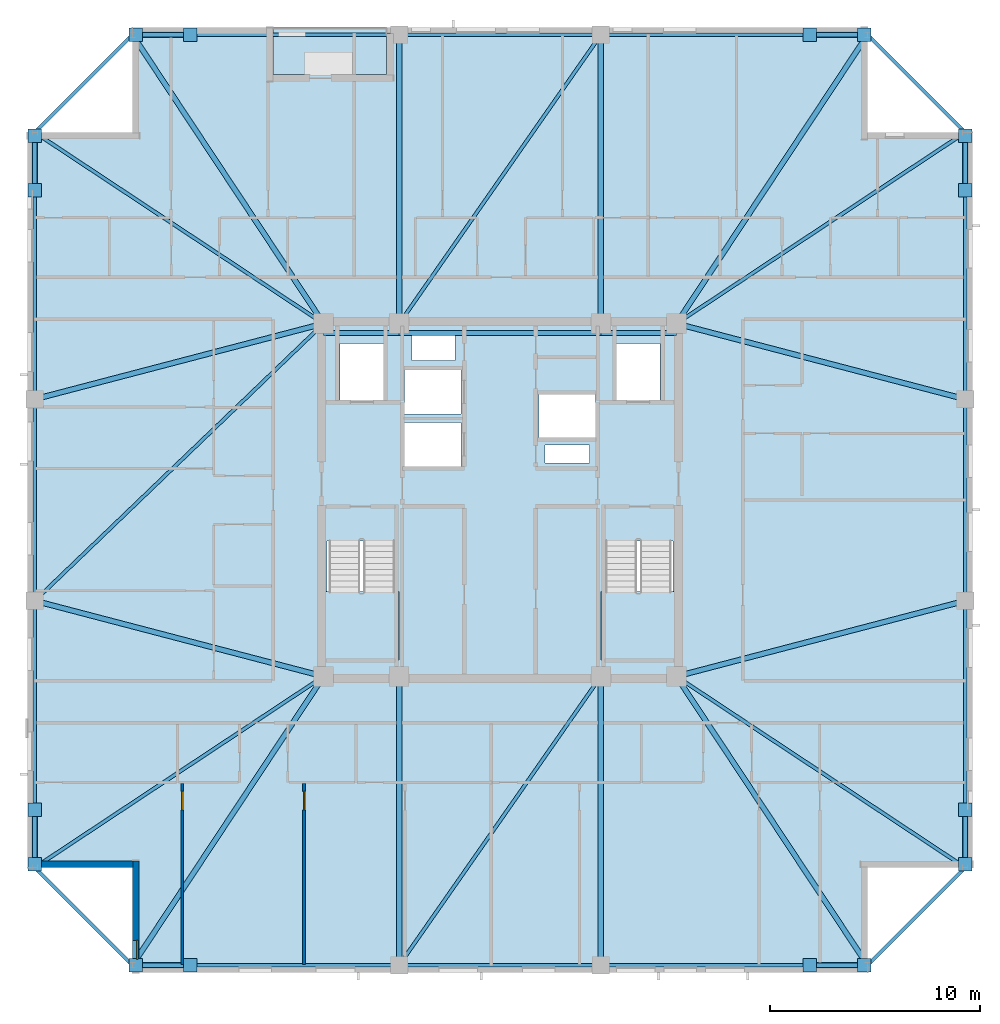
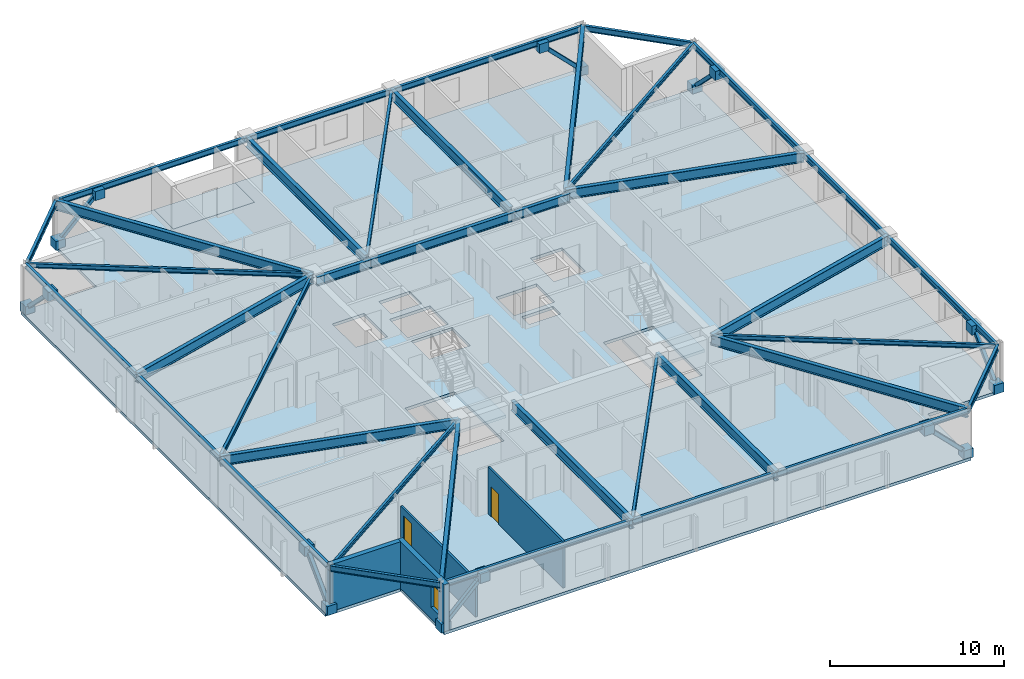
# One storey, part 6 of 17: 38 beams, 16 plates, 8 members, 4 slabs, 4 walls, 2 doors, 1 window, 3 openings, 2 elements without a shape of their own.
"""IFC4 building model written with IfcOpenShell, lengths in metres."""

from ifc_helpers import new_model, si_unit, direction, frame, frame_2d, origin, origin_2d, place, context, subcontext, project, spatial, polyline, rectangle, hollow_rectangle, i_section, outline, extrude, material, layer, layer_set, material_profile, profile_set, type_object, element, fill, aggregate, save


model = new_model("IFC4")

# Units and contexts
model_context = context("Model", 3, precision=1e-05, world=origin(), true_north=direction((0.0, 1.0)))
body_context = subcontext(model_context, "Body", "Model", "MODEL_VIEW")
ifc_project = project(units=[si_unit("LENGTHUNIT", "METRE"), si_unit("AREAUNIT", "SQUARE_METRE"), si_unit("VOLUMEUNIT", "CUBIC_METRE"), si_unit("PLANEANGLEUNIT", "RADIAN"), si_unit("MASSUNIT", "GRAM", prefix="KILO")], contexts=[model_context])

# Site, building, storey
site_placement = place(None, origin())
site = spatial("IfcSite", under=ifc_project, at=site_placement, CompositionType="ELEMENT")
building_placement = place(site_placement, origin())
building = spatial("IfcBuilding", under=site, at=building_placement, Name="Cairnveth Concourse Tower", CompositionType="ELEMENT")
storey_placement = place(building_placement, frame((0.0, 0.0, 223.5)))
storey = spatial("IfcBuildingStorey", under=building, at=storey_placement, Name="L61", CompositionType="ELEMENT", Elevation=223.5)

# Beams
ifc_material_1 = material(Name="Steel Grade 350", Category="steel")
ifc_material_profile_1 = material_profile(ifc_material_1, i_section(OverallWidth=0.22802734375, OverallDepth=0.60693359375, WebThickness=0.01123046875, FlangeThickness=0.017333984375, FilletRadius=0.013916015625, at=origin_2d()), Name="610UB113")
ifc_profile_set_1 = profile_set([ifc_material_profile_1], Name="Steel Grade 350")
beam_type_1 = type_object("IfcBeamType", Name="CORE TIE BEAM 610UB113", PredefinedType="T_BEAM", material=ifc_profile_set_1)
for number, where, z_axis, x_axis, name in (
    (1, (43.60009765625, 46.949951171875, 2.986572265625), (1.0, 0.0, 0.0), (0.0, 1.0, 0.0), "Beam CT-N1 L61"),
    (2, (56.800048828125, 46.949951171875, 2.986572265625), (1.0, 0.0, 0.0), (0.0, 1.0, 0.0), "Beam CT-N3 L61"),
):
    element("IfcBeam", number, at=place(storey_placement, frame(where, z_axis=z_axis, x_axis=x_axis)), inside=storey, type_object=beam_type_1, Name=name, PredefinedType="T_BEAM", context=body_context, shape_type="SweptSolid", body=[
        extrude(i_section(OverallWidth=0.22802734375, OverallDepth=0.60693359375, WebThickness=0.01123046875, FlangeThickness=0.017333984375, FilletRadius=0.013916015625, at=origin_2d()), origin(), (0.0, 0.0, 1.0), 3.599853515625),
    ])
beam_1_placement = place(storey_placement, frame((47.199951171875, 46.949951171875, 2.986572265625), z_axis=(1.0, 0.0, 0.0), x_axis=(0.0, 1.0, 0.0)))
element("IfcBeam", 3, at=beam_1_placement, inside=storey, type_object=beam_type_1, Name="Beam CT-N2 L61", PredefinedType="T_BEAM", context=body_context, shape_type="SweptSolid", body=[
    extrude(i_section(OverallWidth=0.22802734375, OverallDepth=0.60693359375, WebThickness=0.01123046875, FlangeThickness=0.017333984375, FilletRadius=0.013916015625, at=origin_2d()), origin(), (0.0, 0.0, 1.0), 9.60009765625),
])
ifc_material_profile_2 = material_profile(ifc_material_1, i_section(OverallWidth=0.166015625, OverallDepth=0.306884765625, WebThickness=0.006591796875, FlangeThickness=0.01171875, FilletRadius=0.010986328125, at=origin_2d()), Name="310UB46.2")
ifc_profile_set_2 = profile_set([ifc_material_profile_2], Name="Steel Grade 350")
beam_type_2 = type_object("IfcBeamType", Name="ZONE 3 FLOOR JOIST 310UB46.2", PredefinedType="JOIST", material=ifc_profile_set_2)
for number, where, z_axis, x_axis, name in (
    (4, (29.85009765625, 21.5, 3.136474609375), (0.833908956207, 0.551902031848, 0.0), (-0.551902031848, 0.833908956207, 0.0), "Beam FJ-CSW2 L61"),
    (5, (74.14990234375, 21.5, 3.136474609375), (-0.833908956207, 0.551902031848, 0.0), (-0.551902031848, -0.833908956207, 0.0), "Beam FJ-CSE2 L61"),
    (6, (74.14990234375, 56.5, 3.136474609375), (-0.833908956207, -0.551902031848, 0.0), (0.551902031848, -0.833908956207, 0.0), "Beam FJ-CNE2 L61"),
    (7, (29.85009765625, 56.5, 3.136474609375), (0.833908956207, -0.551902031848, 0.0), (0.551902031848, 0.833908956207, 0.0), "Beam FJ-CNW2 L61"),
):
    element("IfcBeam", number, at=place(storey_placement, frame(where, z_axis=z_axis, x_axis=x_axis)), inside=storey, type_object=beam_type_2, Name=name, PredefinedType="JOIST", context=body_context, shape_type="SweptSolid", body=[
        extrude(i_section(OverallWidth=0.166015625, OverallDepth=0.306884765625, WebThickness=0.006591796875, FlangeThickness=0.01171875, FilletRadius=0.010986328125, at=origin_2d()), origin(), (0.0, 0.0, 1.0), 16.488525390625),
    ])
for number, where, z_axis, x_axis, name in (
    (8, (47.199951171875, 16.85009765625, 3.136474609375), (0.572465304893, 0.819928944905, 0.0), (-0.819928944905, 0.572465304893, 0.0), "Beam FJ-S-M1 L61"),
    (9, (47.199951171875, 47.39990234375, 3.136474609375), (0.572465304893, 0.819928944905, 0.0), (-0.819928944905, 0.572465304893, 0.0), "Beam FJ-N-M1 L61"),
):
    element("IfcBeam", number, at=place(storey_placement, frame(where, z_axis=z_axis, x_axis=x_axis)), inside=storey, type_object=beam_type_2, Name=name, PredefinedType="JOIST", context=body_context, shape_type="SweptSolid", body=[
        extrude(i_section(OverallWidth=0.166015625, OverallDepth=0.306884765625, WebThickness=0.006591796875, FlangeThickness=0.01171875, FilletRadius=0.010986328125, at=origin_2d()), origin(), (0.0, 0.0, 1.0), 16.769775390625),
    ])
beam_2_placement = place(storey_placement, frame((29.85009765625, 34.199951171875, 3.136474609375), z_axis=(0.721388600838, 0.692530495055, 0.0), x_axis=(-0.692530495055, 0.721388600838, 0.0)))
element("IfcBeam", 10, at=beam_2_placement, inside=storey, type_object=beam_type_2, Name="Beam FJ-W-M1 L61", PredefinedType="JOIST", context=body_context, shape_type="SweptSolid", body=[
    extrude(i_section(OverallWidth=0.166015625, OverallDepth=0.306884765625, WebThickness=0.006591796875, FlangeThickness=0.01171875, FilletRadius=0.010986328125, at=origin_2d()), origin(), (0.0, 0.0, 1.0), 19.060546875),
])

# Members
ifc_material_2 = material(Name="Steel C350L0 (350 MPa)", Category="steel")
ifc_material_profile_3 = material_profile(ifc_material_2, hollow_rectangle(XDim=0.25, YDim=0.25, WallThickness=0.012451171875, InnerFilletRadius=0.012939453125, OuterFilletRadius=0.02490234375, at=origin_2d()), Name="250x250x12.5SHS")
ifc_profile_set_3 = profile_set([ifc_material_profile_3], Name="Steel C350L0 (350 MPa)")
member_type = type_object("IfcMemberType", Name="ZONE 3 PIER BRACE 250X250X12.5SHS", PredefinedType="BRACE", material=ifc_profile_set_3)
for number, where, z_axis, x_axis, name in (
    (11, (34.64990234375, 16.85009765625, 0.25), (0.708469186186, 0.0, 0.705741746126), (0.0, 1.0, 0.0), "Structural Brace PB-S1 L61"),
    (12, (69.35009765625, 16.85009765625, 0.25), (-0.708469186186, 0.0, 0.705741746126), (0.0, -1.0, 0.0), "Structural Brace PB-S2 L61"),
    (13, (34.64990234375, 61.14990234375, 0.25), (0.708469186186, 0.0, 0.705741746126), (0.0, 1.0, 0.0), "Structural Brace PB-N1 L61"),
    (14, (69.35009765625, 61.14990234375, 0.25), (-0.708469186186, 0.0, 0.705741746126), (0.0, -1.0, 0.0), "Structural Brace PB-N2 L61"),
    (15, (29.85009765625, 21.64990234375, 0.25), (0.0, 0.708469186186, 0.705741746126), (-1.0, 0.0, 0.0), "Structural Brace PB-W1 L61"),
    (16, (29.85009765625, 56.35009765625, 0.25), (0.0, -0.708469186186, 0.705741746126), (1.0, 0.0, 0.0), "Structural Brace PB-W2 L61"),
    (17, (74.14990234375, 21.64990234375, 0.25), (0.0, 0.708469186186, 0.705741746126), (-1.0, 0.0, 0.0), "Structural Brace PB-E1 L61"),
    (18, (74.14990234375, 56.35009765625, 0.25), (0.0, -0.708469186186, 0.705741746126), (1.0, 0.0, 0.0), "Structural Brace PB-E2 L61"),
):
    element("IfcMember", number, at=place(storey_placement, frame(where, z_axis=z_axis, x_axis=x_axis)), inside=storey, type_object=member_type, Name=name, PredefinedType="BRACE", context=body_context, shape_type="SweptSolid", body=[
        extrude(hollow_rectangle(XDim=0.25, YDim=0.25, WallThickness=0.012451171875, InnerFilletRadius=0.012939453125, OuterFilletRadius=0.02490234375, at=origin_2d()), origin(), (0.0, 0.0, 1.0), 3.669921875),
    ])

# Beams
ifc_material_profile_4 = material_profile(ifc_material_1, i_section(OverallWidth=0.25, OverallDepth=0.69189453125, WebThickness=0.010009765625, FlangeThickness=0.02490234375, at=origin_2d()), Name="700WB150")
ifc_profile_set_4 = profile_set([ifc_material_profile_4], Name="Steel Grade 350")
beam_type_3 = type_object("IfcBeamType", Name="ZONE 3 RADIAL GIRDER 700WB150", PredefinedType="BEAM", material=ifc_profile_set_4)
for number, where, z_axis, x_axis, name in (
    (19, (47.199951171875, 16.85009765625, 2.944091796875), (0.0, 1.0, 0.0), (-1.0, 0.0, 0.0), "Beam RG-S1 L61"),
    (20, (56.800048828125, 16.85009765625, 2.944091796875), (0.0, 1.0, 0.0), (-1.0, 0.0, 0.0), "Beam RG-S2 L61"),
    (21, (47.199951171875, 47.39990234375, 2.944091796875), (0.0, 1.0, 0.0), (-1.0, 0.0, 0.0), "Beam RG-N1 L61"),
    (22, (56.800048828125, 47.39990234375, 2.944091796875), (0.0, 1.0, 0.0), (-1.0, 0.0, 0.0), "Beam RG-N2 L61"),
):
    element("IfcBeam", number, at=place(storey_placement, frame(where, z_axis=z_axis, x_axis=x_axis)), inside=storey, type_object=beam_type_3, Name=name, PredefinedType="BEAM", context=body_context, shape_type="SweptSolid", body=[
        extrude(i_section(OverallWidth=0.25, OverallDepth=0.69189453125, WebThickness=0.010009765625, FlangeThickness=0.02490234375, at=origin_2d()), origin(), (0.0, 0.0, 1.0), 13.75),
    ])
for number, where, z_axis, x_axis, name in (
    (23, (29.85009765625, 34.199951171875, 2.944091796875), (0.967395273598, -0.253271365575, 0.0), (0.253271365575, 0.967395273598, 0.0), "Beam RG-W1 L61"),
    (24, (29.85009765625, 43.800048828125, 2.944091796875), (0.967395273598, 0.253271365575, 0.0), (-0.253271365575, 0.967395273598, 0.0), "Beam RG-W2 L61"),
    (25, (60.39990234375, 30.60009765625, 2.944091796875), (0.967395273598, 0.253271365575, 0.0), (-0.253271365575, 0.967395273598, 0.0), "Beam RG-E1 L61"),
    (26, (60.39990234375, 47.39990234375, 2.944091796875), (0.967395273598, -0.253271365575, 0.0), (0.253271365575, 0.967395273598, 0.0), "Beam RG-E2 L61"),
):
    element("IfcBeam", number, at=place(storey_placement, frame(where, z_axis=z_axis, x_axis=x_axis)), inside=storey, type_object=beam_type_3, Name=name, PredefinedType="BEAM", context=body_context, shape_type="SweptSolid", body=[
        extrude(i_section(OverallWidth=0.25, OverallDepth=0.69189453125, WebThickness=0.010009765625, FlangeThickness=0.02490234375, at=origin_2d()), origin(), (0.0, 0.0, 1.0), 14.21337890625),
    ])
for number, where, z_axis, x_axis, name in (
    (27, (34.5, 16.85009765625, 2.944091796875), (0.551902031848, 0.833908956207, 0.0), (-0.833908956207, 0.551902031848, 0.0), "Beam RG-CSW L61"),
    (28, (69.5, 16.85009765625, 2.944091796875), (-0.551902031848, 0.833908956207, 0.0), (-0.833908956207, -0.551902031848, 0.0), "Beam RG-CSE L61"),
    (29, (69.5, 61.14990234375, 2.944091796875), (-0.551902031848, -0.833908956207, 0.0), (0.833908956207, -0.551902031848, 0.0), "Beam RG-CNE L61"),
    (30, (34.5, 61.14990234375, 2.944091796875), (0.551902031848, -0.833908956207, 0.0), (0.833908956207, 0.551902031848, 0.0), "Beam RG-CNW L61"),
):
    element("IfcBeam", number, at=place(storey_placement, frame(where, z_axis=z_axis, x_axis=x_axis)), inside=storey, type_object=beam_type_3, Name=name, PredefinedType="BEAM", context=body_context, shape_type="SweptSolid", body=[
        extrude(i_section(OverallWidth=0.25, OverallDepth=0.69189453125, WebThickness=0.010009765625, FlangeThickness=0.02490234375, at=origin_2d()), origin(), (0.0, 0.0, 1.0), 16.488525390625),
    ])
ifc_material_profile_5 = material_profile(ifc_material_1, i_section(OverallWidth=0.177978515625, OverallDepth=0.406005859375, WebThickness=0.0078125, FlangeThickness=0.0126953125, FilletRadius=0.010986328125, at=origin_2d()), Name="410UB59.7")
ifc_profile_set_5 = profile_set([ifc_material_profile_5], Name="Steel Grade 350")
beam_type_4 = type_object("IfcBeamType", Name="ZONE 3 SPANDREL BEAM 410UB59.7", PredefinedType="SPANDREL", material=ifc_profile_set_5)
beam_3_placement = place(storey_placement, frame((34.5, 16.85009765625, 3.0869140625), z_axis=(1.0, 0.0, 0.0), x_axis=(0.0, 1.0, 0.0)))
element("IfcBeam", 31, at=beam_3_placement, inside=storey, type_object=beam_type_4, Name="Beam SP-S1 L61", PredefinedType="SPANDREL", context=body_context, shape_type="SweptSolid", body=[
    extrude(i_section(OverallWidth=0.177978515625, OverallDepth=0.406005859375, WebThickness=0.0078125, FlangeThickness=0.0126953125, FilletRadius=0.010986328125, at=origin_2d()), origin(), (0.0, 0.0, 1.0), 12.699951171875),
])
beam_4_placement = place(storey_placement, frame((47.199951171875, 16.85009765625, 3.0869140625), z_axis=(1.0, 0.0, 0.0), x_axis=(0.0, 1.0, 0.0)))
element("IfcBeam", 32, at=beam_4_placement, inside=storey, type_object=beam_type_4, Name="Beam SP-S2 L61", PredefinedType="SPANDREL", context=body_context, shape_type="SweptSolid", body=[
    extrude(i_section(OverallWidth=0.177978515625, OverallDepth=0.406005859375, WebThickness=0.0078125, FlangeThickness=0.0126953125, FilletRadius=0.010986328125, at=origin_2d()), origin(), (0.0, 0.0, 1.0), 9.60009765625),
])
for number, where, z_axis, x_axis, name in (
    (33, (56.800048828125, 16.85009765625, 3.0869140625), (1.0, 0.0, 0.0), (0.0, 1.0, 0.0), "Beam SP-S3 L61"),
    (34, (34.5, 61.14990234375, 3.0869140625), (1.0, 0.0, 0.0), (0.0, 1.0, 0.0), "Beam SP-N1 L61"),
):
    element("IfcBeam", number, at=place(storey_placement, frame(where, z_axis=z_axis, x_axis=x_axis)), inside=storey, type_object=beam_type_4, Name=name, PredefinedType="SPANDREL", context=body_context, shape_type="SweptSolid", body=[
        extrude(i_section(OverallWidth=0.177978515625, OverallDepth=0.406005859375, WebThickness=0.0078125, FlangeThickness=0.0126953125, FilletRadius=0.010986328125, at=origin_2d()), origin(), (0.0, 0.0, 1.0), 12.699951171875),
    ])
beam_5_placement = place(storey_placement, frame((47.199951171875, 61.14990234375, 3.0869140625), z_axis=(1.0, 0.0, 0.0), x_axis=(0.0, 1.0, 0.0)))
element("IfcBeam", 35, at=beam_5_placement, inside=storey, type_object=beam_type_4, Name="Beam SP-N2 L61", PredefinedType="SPANDREL", context=body_context, shape_type="SweptSolid", body=[
    extrude(i_section(OverallWidth=0.177978515625, OverallDepth=0.406005859375, WebThickness=0.0078125, FlangeThickness=0.0126953125, FilletRadius=0.010986328125, at=origin_2d()), origin(), (0.0, 0.0, 1.0), 9.60009765625),
])
for number, where, z_axis, x_axis, name in (
    (36, (56.800048828125, 61.14990234375, 3.0869140625), (1.0, 0.0, 0.0), (0.0, 1.0, 0.0), "Beam SP-N3 L61"),
    (37, (29.85009765625, 21.5, 3.0869140625), (0.0, 1.0, 0.0), (-1.0, 0.0, 0.0), "Beam SP-W1 L61"),
):
    element("IfcBeam", number, at=place(storey_placement, frame(where, z_axis=z_axis, x_axis=x_axis)), inside=storey, type_object=beam_type_4, Name=name, PredefinedType="SPANDREL", context=body_context, shape_type="SweptSolid", body=[
        extrude(i_section(OverallWidth=0.177978515625, OverallDepth=0.406005859375, WebThickness=0.0078125, FlangeThickness=0.0126953125, FilletRadius=0.010986328125, at=origin_2d()), origin(), (0.0, 0.0, 1.0), 12.699951171875),
    ])
beam_6_placement = place(storey_placement, frame((29.85009765625, 34.199951171875, 3.0869140625), z_axis=(0.0, 1.0, 0.0), x_axis=(-1.0, 0.0, 0.0)))
element("IfcBeam", 38, at=beam_6_placement, inside=storey, type_object=beam_type_4, Name="Beam SP-W2 L61", PredefinedType="SPANDREL", context=body_context, shape_type="SweptSolid", body=[
    extrude(i_section(OverallWidth=0.177978515625, OverallDepth=0.406005859375, WebThickness=0.0078125, FlangeThickness=0.0126953125, FilletRadius=0.010986328125, at=origin_2d()), origin(), (0.0, 0.0, 1.0), 9.60009765625),
])
for number, where, z_axis, x_axis, name in (
    (39, (29.85009765625, 43.800048828125, 3.0869140625), (0.0, 1.0, 0.0), (-1.0, 0.0, 0.0), "Beam SP-W3 L61"),
    (40, (74.14990234375, 21.5, 3.0869140625), (0.0, 1.0, 0.0), (-1.0, 0.0, 0.0), "Beam SP-E1 L61"),
):
    element("IfcBeam", number, at=place(storey_placement, frame(where, z_axis=z_axis, x_axis=x_axis)), inside=storey, type_object=beam_type_4, Name=name, PredefinedType="SPANDREL", context=body_context, shape_type="SweptSolid", body=[
        extrude(i_section(OverallWidth=0.177978515625, OverallDepth=0.406005859375, WebThickness=0.0078125, FlangeThickness=0.0126953125, FilletRadius=0.010986328125, at=origin_2d()), origin(), (0.0, 0.0, 1.0), 12.699951171875),
    ])
beam_7_placement = place(storey_placement, frame((74.14990234375, 34.199951171875, 3.0869140625), z_axis=(0.0, 1.0, 0.0), x_axis=(-1.0, 0.0, 0.0)))
element("IfcBeam", 41, at=beam_7_placement, inside=storey, type_object=beam_type_4, Name="Beam SP-E2 L61", PredefinedType="SPANDREL", context=body_context, shape_type="SweptSolid", body=[
    extrude(i_section(OverallWidth=0.177978515625, OverallDepth=0.406005859375, WebThickness=0.0078125, FlangeThickness=0.0126953125, FilletRadius=0.010986328125, at=origin_2d()), origin(), (0.0, 0.0, 1.0), 9.60009765625),
])
beam_8_placement = place(storey_placement, frame((74.14990234375, 43.800048828125, 3.0869140625), z_axis=(0.0, 1.0, 0.0), x_axis=(-1.0, 0.0, 0.0)))
element("IfcBeam", 42, at=beam_8_placement, inside=storey, type_object=beam_type_4, Name="Beam SP-E3 L61", PredefinedType="SPANDREL", context=body_context, shape_type="SweptSolid", body=[
    extrude(i_section(OverallWidth=0.177978515625, OverallDepth=0.406005859375, WebThickness=0.0078125, FlangeThickness=0.0126953125, FilletRadius=0.010986328125, at=origin_2d()), origin(), (0.0, 0.0, 1.0), 12.699951171875),
])
for number, where, z_axis, x_axis, name in (
    (43, (29.85009765625, 21.5, 3.0869140625), (0.707106781187, -0.707106781187, 0.0), (0.707106781187, 0.707106781187, 0.0), "Beam SP-SW L61"),
    (44, (69.5, 16.85009765625, 3.0869140625), (0.707106781187, 0.707106781187, 0.0), (-0.707106781187, 0.707106781187, 0.0), "Beam SP-SE L61"),
    (45, (69.5, 61.14990234375, 3.0869140625), (0.707106781187, -0.707106781187, 0.0), (0.707106781187, 0.707106781187, 0.0), "Beam SP-NE L61"),
    (46, (29.85009765625, 56.5, 3.0869140625), (0.707106781187, 0.707106781187, 0.0), (-0.707106781187, 0.707106781187, 0.0), "Beam SP-NW L61"),
):
    element("IfcBeam", number, at=place(storey_placement, frame(where, z_axis=z_axis, x_axis=x_axis)), inside=storey, type_object=beam_type_4, Name=name, PredefinedType="SPANDREL", context=body_context, shape_type="SweptSolid", body=[
        extrude(i_section(OverallWidth=0.177978515625, OverallDepth=0.406005859375, WebThickness=0.0078125, FlangeThickness=0.0126953125, FilletRadius=0.010986328125, at=origin_2d()), origin(), (0.0, 0.0, 1.0), 6.575927734375),
    ])

# Plates
ifc_layer_1 = layer(ifc_material_1, 0.031982421875)
ifc_layer_set_1 = layer_set([ifc_layer_1], Name="Steel Grade 350")
plate_type = type_object("IfcPlateType", Name="PERIMETER BRACE GUSSET PLATE 32", PredefinedType="USERDEFINED", material=ifc_layer_set_1)
for number, where, z_axis, x_axis, name in (
    (47, (34.64990234375, 16.85009765625, -0.06982421875), (0.0, 0.0, 1.0), (1.0, 0.0, 0.0), "Structural Node Plate 1061 L61"),
    (48, (37.25, 16.85009765625, 2.52001953125), (0.0, 0.0, 1.0), (1.0, 0.0, 0.0), "Structural Node Plate 1062 L61"),
    (49, (69.35009765625, 16.85009765625, -0.06982421875), (0.0, 0.0, 1.0), (1.0, 0.0, 0.0), "Structural Node Plate 1063 L61"),
    (50, (66.75, 16.85009765625, 2.52001953125), (0.0, 0.0, 1.0), (1.0, 0.0, 0.0), "Structural Node Plate 1064 L61"),
    (51, (34.64990234375, 61.14990234375, -0.06982421875), (0.0, 0.0, 1.0), (1.0, 0.0, 0.0), "Structural Node Plate 1065 L61"),
    (52, (37.25, 61.14990234375, 2.52001953125), (0.0, 0.0, 1.0), (1.0, 0.0, 0.0), "Structural Node Plate 1066 L61"),
    (53, (69.35009765625, 61.14990234375, -0.06982421875), (0.0, 0.0, 1.0), (1.0, 0.0, 0.0), "Structural Node Plate 1067 L61"),
    (54, (66.75, 61.14990234375, 2.52001953125), (0.0, 0.0, 1.0), (1.0, 0.0, 0.0), "Structural Node Plate 1068 L61"),
    (55, (29.85009765625, 21.64990234375, -0.06982421875), (0.0, 0.0, 1.0), (1.0, 0.0, 0.0), "Structural Node Plate 1069 L61"),
    (56, (29.85009765625, 24.25, 2.52001953125), (0.0, 0.0, 1.0), (1.0, 0.0, 0.0), "Structural Node Plate 1070 L61"),
    (57, (29.85009765625, 56.35009765625, -0.06982421875), (0.0, 0.0, 1.0), (1.0, 0.0, 0.0), "Structural Node Plate 1071 L61"),
    (58, (29.85009765625, 53.75, 2.52001953125), (0.0, 0.0, 1.0), (1.0, 0.0, 0.0), "Structural Node Plate 1072 L61"),
    (59, (74.14990234375, 21.64990234375, -0.06982421875), (0.0, 0.0, 1.0), (1.0, 0.0, 0.0), "Structural Node Plate 1073 L61"),
    (60, (74.14990234375, 24.25, 2.52001953125), (0.0, 0.0, 1.0), (1.0, 0.0, 0.0), "Structural Node Plate 1074 L61"),
    (61, (74.14990234375, 56.35009765625, -0.06982421875), (0.0, 0.0, 1.0), (1.0, 0.0, 0.0), "Structural Node Plate 1075 L61"),
    (62, (74.14990234375, 53.75, 2.52001953125), (0.0, 0.0, 1.0), (1.0, 0.0, 0.0), "Structural Node Plate 1076 L61"),
):
    element("IfcPlate", number, at=place(storey_placement, frame(where, z_axis=z_axis, x_axis=x_axis)), inside=storey, type_object=plate_type, Name=name, ObjectType="GUSSET PLATE", PredefinedType="USERDEFINED", context=body_context, shape_type="SweptSolid", body=[
        extrude(rectangle(XDim=0.639892578125, YDim=0.639892578125, at=origin_2d()), origin(), (0.0, 0.0, 1.0), 0.639892578125),
    ])

# Slab
ifc_material_3 = material(Name="Concrete N50 (50 MPa)", Category="concrete")
ifc_layer_2 = layer(ifc_material_3, 0.18994140625)
ifc_layer_set_2 = layer_set([ifc_layer_2], Name="Concrete N50 (50 MPa)")
slab_type_1 = type_object("IfcSlabType", Name="SPIRAL OUTDOOR TERRACE SLAB 190", PredefinedType="FLOOR", material=ifc_layer_set_2)
slab_1_placement = place(storey_placement, frame((0.0, 0.0, -0.18994140625)))
element("IfcSlab", 63, at=slab_1_placement, inside=storey, type_object=slab_type_1, Name="Spiral Terrace Slab L61", PredefinedType="FLOOR", context=body_context, shape_type="SweptSolid", body=[
    extrude(outline(polyline([(41.199951171875, 59.25), (46.60009765625, 59.25), (46.60009765625, 61.5), (41.199951171875, 61.5), (41.199951171875, 59.25)])), origin(), (0.0, 0.0, 1.0), 0.18994140625),
])

# Stair, slab
ifc_material_4 = material(Name="Precast concrete N50 (50 MPa)", Category="concrete")
stair_type = type_object("IfcStairType", Name="CORE DOG-LEG FIRE STAIR 1500", PredefinedType="HALF_TURN_STAIR", material=ifc_material_4)
stair_1_placement = place(storey_placement, origin())
stair_1 = element("IfcStair", 64, at=stair_1_placement, inside=storey, type_object=stair_type, Name="L61 Fire-Isolated Stair ST-1", PredefinedType="HALF_TURN_STAIR")
ifc_layer_3 = layer(ifc_material_3, 0.199951171875)
ifc_layer_set_3 = layer_set([ifc_layer_3], Name="Concrete N50 (50 MPa)")
slab_type_2 = type_object("IfcSlabType", Name="STAIR HALF LANDING SLAB 200", PredefinedType="LANDING", material=ifc_layer_set_3)
slab_2_placement = place(storey_placement, frame((0.0, 0.0, 1.550048828125)))
slab_2 = element("IfcSlab", 65, at=slab_2_placement, type_object=slab_type_2, Name="ST-1 landing 1", PredefinedType="LANDING", context=body_context, shape_type="SweptSolid", body=[
    extrude(outline(polyline([(43.6201171875, 34.639892578125), (43.6201171875, 31.3701171875), (47.199951171875, 31.3701171875), (47.199951171875, 34.639892578125), (43.6201171875, 34.639892578125)])), origin(), (0.0, 0.0, 1.0), 0.199951171875),
])
aggregate(stair_1, [slab_2])

stair_2_placement = place(storey_placement, origin())
stair_2 = element("IfcStair", 66, at=stair_2_placement, inside=storey, type_object=stair_type, Name="L61 Fire-Isolated Stair ST-2", PredefinedType="HALF_TURN_STAIR")
slab_3_placement = place(storey_placement, frame((0.0, 0.0, 1.550048828125)))
slab_3 = element("IfcSlab", 67, at=slab_3_placement, type_object=slab_type_2, Name="ST-2 landing 1", PredefinedType="LANDING", context=body_context, shape_type="SweptSolid", body=[
    extrude(outline(polyline([(56.800048828125, 34.639892578125), (56.800048828125, 31.3701171875), (60.3798828125, 31.3701171875), (60.3798828125, 34.639892578125), (56.800048828125, 34.639892578125)])), origin(), (0.0, 0.0, 1.0), 0.199951171875),
])
aggregate(stair_2, [slab_3])

# Slab
ifc_layer_4 = layer(ifc_material_3, 0.2099609375)
ifc_layer_set_4 = layer_set([ifc_layer_4], Name="Concrete N50 (50 MPa)")
slab_type_3 = type_object("IfcSlabType", Name="UPPER TOWER COMPOSITE SLAB 210", PredefinedType="FLOOR", material=ifc_layer_set_4)
slab_4_placement = place(storey_placement, frame((0.0, 0.0, -0.2099609375)))
element("IfcSlab", 68, at=slab_4_placement, inside=storey, type_object=slab_type_3, Name="Tower Floor Slab L61", PredefinedType="FLOOR", context=body_context, shape_type="SweptSolid", body=[
    extrude(outline(polyline([(46.60009765625, 61.5), (46.60009765625, 59.25), (41.199951171875, 59.25), (41.199951171875, 61.5), (34.5, 61.5), (34.5, 56.5), (29.5, 56.5), (29.5, 21.5), (34.5, 21.5), (34.5, 16.5), (69.5, 16.5), (69.5, 21.5), (74.5, 21.5), (74.5, 56.5), (69.5, 56.5), (69.5, 61.5), (46.60009765625, 61.5)]), holes=[polyline([(43.760009765625, 31.360107421875), (47.06005859375, 31.360107421875), (47.06005859375, 37.0400390625), (43.760009765625, 37.0400390625), (43.760009765625, 31.360107421875)]), polyline([(56.93994140625, 31.360107421875), (60.239990234375, 31.360107421875), (60.239990234375, 37.0400390625), (56.93994140625, 37.0400390625), (56.93994140625, 31.360107421875)]), polyline([(44.3701171875, 43.75), (46.469970703125, 43.75), (46.469970703125, 46.449951171875), (44.3701171875, 46.449951171875), (44.3701171875, 43.75)]), polyline([(57.530029296875, 43.75), (59.6298828125, 43.75), (59.6298828125, 46.449951171875), (57.530029296875, 46.449951171875), (57.530029296875, 43.75)]), polyline([(47.449951171875, 40.60009765625), (50.14990234375, 40.60009765625), (50.14990234375, 42.699951171875), (47.449951171875, 42.699951171875), (47.449951171875, 40.60009765625)]), polyline([(47.449951171875, 43.10009765625), (50.14990234375, 43.10009765625), (50.14990234375, 45.199951171875), (47.449951171875, 45.199951171875), (47.449951171875, 43.10009765625)]), polyline([(53.85009765625, 41.949951171875), (56.550048828125, 41.949951171875), (56.550048828125, 44.050048828125), (53.85009765625, 44.050048828125), (53.85009765625, 41.949951171875)]), polyline([(47.800048828125, 45.64990234375), (49.85009765625, 45.64990234375), (49.85009765625, 47.050048828125), (47.800048828125, 47.050048828125), (47.800048828125, 45.64990234375)]), polyline([(54.14990234375, 40.75), (56.25, 40.75), (56.25, 41.6201171875), (54.14990234375, 41.6201171875), (54.14990234375, 40.75)])]), origin(), (0.0, 0.0, 1.0), 0.2099609375),
])

# Wall, opening, door
ifc_material_5 = material(Name="Gypsum Plasterboard Partition", Category="gypsum")
ifc_layer_5 = layer(ifc_material_5, 0.139892578125)
ifc_layer_set_5 = layer_set([ifc_layer_5], Name="Gypsum Plasterboard Partition")
wall_type_1 = type_object("IfcWallType", Name="GYPSUM STUD PARTITION 140", PredefinedType="PARTITIONING", material=ifc_layer_set_5)
wall_1_placement = place(storey_placement, frame((36.8701171875, 16.8798828125, 0.0), z_axis=(0.0, 0.0, 1.0), x_axis=(0.0, 1.0, 0.0)))
wall_1 = element("IfcWall", 69, at=wall_1_placement, inside=storey, type_object=wall_type_1, Name="Interior Wall IW-L61-048", PredefinedType="PARTITIONING", context=body_context, shape_type="SweptSolid", body=[
    extrude(rectangle(XDim=8.627685546875, YDim=0.139892578125, at=frame_2d((4.31396484375, 0.0))), origin(), (0.0, 0.0, 1.0), 2.572998046875),
])
opening_1_placement = place(wall_1_placement, frame((7.367431640625, 0.0, 0.0)))
opening_1 = element("IfcOpeningElement", 70, at=opening_1_placement, cuts=wall_1, Name="Opening ID18", PredefinedType="OPENING", context=body_context, shape_type="SweptSolid", body=[
    extrude(rectangle(XDim=0.8798828125, YDim=2.10009765625, at=frame_2d((0.43994140625, 1.050048828125))), frame((0.0, 0.079833984375, 0.0), z_axis=(0.0, -1.0, 0.0), x_axis=(1.0, 0.0, 0.0)), (0.0, 0.0, 1.0), 0.159912109375),
])
ifc_material_6 = material(Name="Solid Core Hardwood Timber Leaf", Category="wood")
door_type = type_object("IfcDoorType", Name="INTERIOR SINGLE DOOR 880X2100", OperationType="NOTDEFINED", PredefinedType="DOOR", material=ifc_material_6)
door_1_placement = place(opening_1_placement, origin())
door_1 = element("IfcDoor", 71, at=door_1_placement, inside=storey, type_object=door_type, Name="L61S1 Master Bedroom Door", OperationType="SINGLE_SWING_RIGHT", OverallHeight=2.10009765625, OverallWidth=0.8798828125, PredefinedType="DOOR", context=body_context, shape_type="SweptSolid", body=[
    extrude(rectangle(XDim=0.8798828125, YDim=2.10009765625, at=frame_2d((0.43994140625, 1.050048828125))), frame((0.0, 0.02490234375, 0.0), z_axis=(0.0, -1.0, 0.0), x_axis=(1.0, 0.0, 0.0)), (0.0, 0.0, 1.0), 0.050048828125),
])
fill(opening_1, door_1)

wall_2_placement = place(storey_placement, frame((42.669921875, 16.8798828125, 0.0), z_axis=(0.0, 0.0, 1.0), x_axis=(0.0, 1.0, 0.0)))
wall_2 = element("IfcWall", 72, at=wall_2_placement, inside=storey, type_object=wall_type_1, Name="Interior Wall IW-L61-052", PredefinedType="PARTITIONING", context=body_context, shape_type="SweptSolid", body=[
    extrude(rectangle(XDim=8.627685546875, YDim=0.139892578125, at=frame_2d((4.31396484375, 0.0))), origin(), (0.0, 0.0, 1.0), 3.2900390625),
])
opening_2_placement = place(wall_2_placement, frame((7.367431640625, 0.0, 0.0)))
opening_2 = element("IfcOpeningElement", 73, at=opening_2_placement, cuts=wall_2, Name="Opening ID18", PredefinedType="OPENING", context=body_context, shape_type="SweptSolid", body=[
    extrude(rectangle(XDim=0.8798828125, YDim=2.10009765625, at=frame_2d((0.43994140625, 1.050048828125))), frame((0.0, 0.079833984375, 0.0), z_axis=(0.0, -1.0, 0.0), x_axis=(1.0, 0.0, 0.0)), (0.0, 0.0, 1.0), 0.159912109375),
])
door_2_placement = place(opening_2_placement, origin())
door_2 = element("IfcDoor", 74, at=door_2_placement, inside=storey, type_object=door_type, Name="L61S1 Media Lounge Door", OperationType="SINGLE_SWING_LEFT", OverallHeight=2.10009765625, OverallWidth=0.8798828125, PredefinedType="DOOR", context=body_context, shape_type="SweptSolid", body=[
    extrude(rectangle(XDim=0.8798828125, YDim=2.10009765625, at=frame_2d((0.43994140625, 1.050048828125))), frame((0.0, 0.02490234375, 0.0), z_axis=(0.0, -1.0, 0.0), x_axis=(1.0, 0.0, 0.0)), (0.0, 0.0, 1.0), 0.050048828125),
])
fill(opening_2, door_2)

# Wall, opening, window
ifc_material_7 = material(Name="Melbourne Buff Fired Clay Brick Masonry", Category="masonry")
ifc_layer_6 = layer(ifc_material_7, 0.320068359375)
ifc_layer_set_6 = layer_set([ifc_layer_6], Name="Melbourne Buff Fired Clay Brick Masonry")
wall_type_2 = type_object("IfcWallType", Name="ZONE 3 BRICK PIER SPANDREL WALL 320", PredefinedType="SOLIDWALL", material=ifc_layer_set_6)
wall_3_placement = place(storey_placement, frame((34.659912109375, 16.5, 0.0), z_axis=(0.0, 0.0, 1.0), x_axis=(0.0, 1.0, 0.0)))
wall_3 = element("IfcWall", 75, at=wall_3_placement, inside=storey, type_object=wall_type_2, Name="Exterior Wall EW-L61-S07", PredefinedType="SOLIDWALL", context=body_context, shape_type="SweptSolid", body=[
    extrude(rectangle(XDim=5.320068359375, YDim=0.320068359375, at=frame_2d((2.66015625, 0.0))), origin(), (0.0, 0.0, 1.0), 3.2900390625),
])
opening_3_placement = place(wall_3_placement, frame((0.6298828125, 0.0, 0.800048828125)))
opening_3 = element("IfcOpeningElement", 76, at=opening_3_placement, cuts=wall_3, Name="Opening W13", PredefinedType="OPENING", context=body_context, shape_type="SweptSolid", body=[
    extrude(rectangle(XDim=0.89990234375, YDim=1.677978515625, at=frame_2d((0.449951171875, 0.8388671875))), frame((0.0, 0.169921875, 0.0), z_axis=(0.0, -1.0, 0.0), x_axis=(1.0, 0.0, 0.0)), (0.0, 0.0, 1.0), 0.340087890625),
])
ifc_material_8 = material(Name="Double Glazed Low-E Clear Glass", Category="glass")
window_type = type_object("IfcWindowType", Name="DEEP-SET BEDROOM LANCET WINDOW 900X1750", PartitioningType="DOUBLE_PANEL_VERTICAL", PredefinedType="WINDOW", material=ifc_material_8)
window_placement = place(opening_3_placement, origin())
window = element("IfcWindow", 77, at=window_placement, inside=storey, type_object=window_type, Name="Dwelling Lancet Window L61-DW1", OverallHeight=1.677978515625, OverallWidth=0.89990234375, PartitioningType="SINGLE_PANEL", PredefinedType="WINDOW", context=body_context, shape_type="SweptSolid", body=[
    extrude(rectangle(XDim=0.89990234375, YDim=1.677978515625, at=frame_2d((0.449951171875, 0.8388671875))), frame((0.0, -0.0400390625, 0.0), z_axis=(0.0, -1.0, 0.0), x_axis=(1.0, 0.0, 0.0)), (0.0, 0.0, 1.0), 0.06005859375),
])
fill(opening_3, window)

# Wall
wall_4_placement = place(storey_placement, frame((34.52197265625, 21.659912109375, 0.0), z_axis=(0.0, 0.0, 1.0), x_axis=(-1.0, 0.0, 0.0)))
element("IfcWall", 78, at=wall_4_placement, inside=storey, type_object=wall_type_2, Name="Exterior Wall EW-L61-S08", PredefinedType="SOLIDWALL", context=body_context, shape_type="SweptSolid", body=[
    extrude(rectangle(XDim=4.723876953125, YDim=0.320068359375, at=frame_2d((2.36181640625, 0.0))), origin(), (0.0, 0.0, 1.0), 3.2900390625),
])

save(model, "model.ifc")
